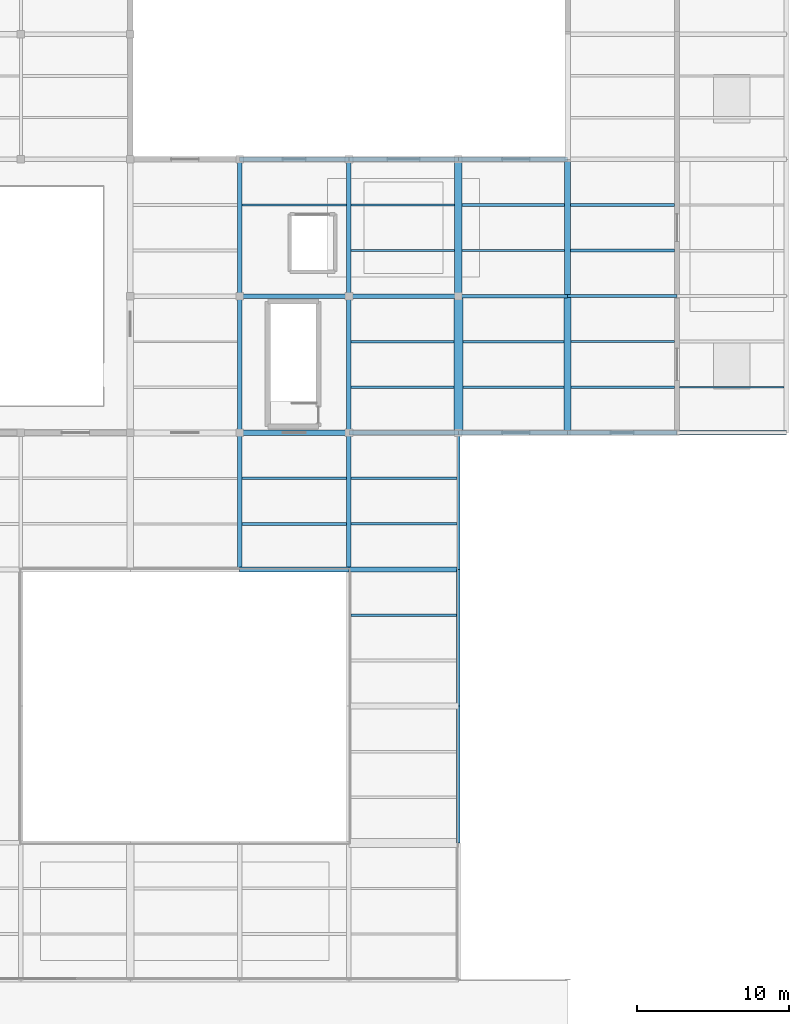
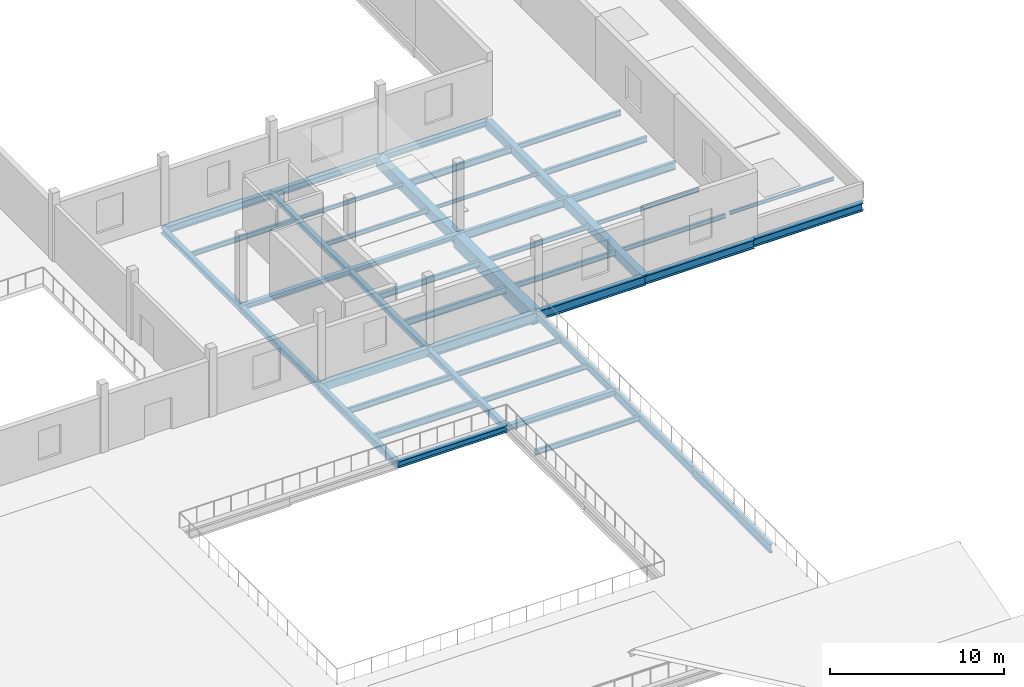
# One storey, part 19 of 54: 46 beams.
"""IFC4 building model written with IfcOpenShell, lengths in metres."""

from ifc_helpers import new_model, si_unit, direction, frame, origin, origin_2d, place, context, subcontext, project, spatial, rectangle, i_section, extrude, material, material_profile, profile_set, type_object, element, save


model = new_model("IFC4")

# Units and contexts
model_context = context("Model", 3, precision=1e-05, world=origin(), true_north=direction((0.0, 1.0)))
body_context = subcontext(model_context, "Body", "Model", "MODEL_VIEW")
ifc_project = project(units=[si_unit("LENGTHUNIT", "METRE"), si_unit("AREAUNIT", "SQUARE_METRE"), si_unit("VOLUMEUNIT", "CUBIC_METRE"), si_unit("PLANEANGLEUNIT", "RADIAN"), si_unit("MASSUNIT", "GRAM", prefix="KILO")], contexts=[model_context])

# Site, building, storey
site_placement = place(None, origin())
site = spatial("IfcSite", under=ifc_project, at=site_placement, CompositionType="ELEMENT")
building_placement = place(site_placement, origin())
building = spatial("IfcBuilding", under=site, at=building_placement, Name="Sundgate Opera House", CompositionType="ELEMENT")
storey_placement = place(building_placement, frame((0.0, 0.0, 16.800048828125)))
storey = spatial("IfcBuildingStorey", under=building, at=storey_placement, Name="L03", CompositionType="ELEMENT", Elevation=16.800048828125)

# Beams
ifc_material_1 = material(Name="Steel S355J2", Category="steel")
ifc_material_profile_1 = material_profile(ifc_material_1, i_section(OverallWidth=0.300048828125, OverallDepth=0.330078125, WebThickness=0.009521484375, FlangeThickness=0.0166015625, at=origin_2d()), Name="HEA 340")
ifc_profile_set_1 = profile_set([ifc_material_profile_1], Name="Steel S355J2")
beam_type_1 = type_object("IfcBeamType", Name="BM-GR-HEA340", PredefinedType="BEAM", material=ifc_profile_set_1)
beam_1_placement = place(storey_placement, frame((138.60009765625, 78.0, -0.445068359375), z_axis=(1.0, 0.0, 0.0), x_axis=(0.0, 1.0, 0.0)))
element("IfcBeam", 1, at=beam_1_placement, inside=storey, type_object=beam_type_1, Name="L03 Primary E-W Girder B2644", PredefinedType="BEAM", context=body_context, shape_type="SweptSolid", body=[
    extrude(i_section(OverallWidth=0.300048828125, OverallDepth=0.330078125, WebThickness=0.009521484375, FlangeThickness=0.0166015625, at=origin_2d()), origin(), (0.0, 0.0, 1.0), 7.199951171875),
])
ifc_material_2 = material(Name="Steel S355J2", Category="steel")
ifc_material_profile_2 = material_profile(ifc_material_2, i_section(OverallWidth=0.300048828125, OverallDepth=0.35009765625, WebThickness=0.010009765625, FlangeThickness=0.017578125, at=origin_2d()), Name="HEA 360")
ifc_profile_set_2 = profile_set([ifc_material_profile_2], Name="Steel S355J2")
beam_type_2 = type_object("IfcBeamType", Name="BM-GR-HEA360", PredefinedType="BEAM", material=ifc_profile_set_2)
beam_2_placement = place(storey_placement, frame((138.60009765625, 78.0, -0.455078125), z_axis=(0.0, 1.0, 0.0), x_axis=(-1.0, 0.0, 0.0)))
element("IfcBeam", 2, at=beam_2_placement, inside=storey, type_object=beam_type_2, Name="L03 Primary N-S Girder B2555", PredefinedType="BEAM", context=body_context, shape_type="SweptSolid", body=[
    extrude(i_section(OverallWidth=0.300048828125, OverallDepth=0.35009765625, WebThickness=0.010009765625, FlangeThickness=0.017578125, at=origin_2d()), origin(), (0.0, 0.0, 1.0), 9.0),
])
beam_3_placement = place(storey_placement, frame((131.39990234375, 78.0, -0.455078125), z_axis=(1.0, 0.0, 0.0), x_axis=(0.0, 1.0, 0.0)))
element("IfcBeam", 3, at=beam_3_placement, inside=storey, type_object=beam_type_2, Name="L03 Primary E-W Girder B2643", PredefinedType="BEAM", context=body_context, shape_type="SweptSolid", body=[
    extrude(i_section(OverallWidth=0.300048828125, OverallDepth=0.35009765625, WebThickness=0.010009765625, FlangeThickness=0.017578125, at=origin_2d()), origin(), (0.0, 0.0, 1.0), 7.2001953125),
])
ifc_material_3 = material(Name="Steel S355J2", Category="steel")
ifc_material_profile_3 = material_profile(ifc_material_3, i_section(OverallWidth=0.300048828125, OverallDepth=0.389892578125, WebThickness=0.010986328125, FlangeThickness=0.01904296875, at=origin_2d()), Name="HEA 400")
ifc_profile_set_3 = profile_set([ifc_material_profile_3], Name="Steel S355J2")
beam_type_3 = type_object("IfcBeamType", Name="BM-GR-HEA400", PredefinedType="BEAM", material=ifc_profile_set_3)
beam_4_placement = place(storey_placement, frame((138.60009765625, 69.0, -0.47509765625), z_axis=(0.0, 1.0, 0.0), x_axis=(-1.0, 0.0, 0.0)))
element("IfcBeam", 4, at=beam_4_placement, inside=storey, type_object=beam_type_3, Name="L03 Primary N-S Girder B2554", PredefinedType="BEAM", context=body_context, shape_type="SweptSolid", body=[
    extrude(i_section(OverallWidth=0.300048828125, OverallDepth=0.389892578125, WebThickness=0.010986328125, FlangeThickness=0.01904296875, at=origin_2d()), origin(), (0.0, 0.0, 1.0), 9.0),
])
for number, where, z_axis, x_axis, name in (
    (5, (138.60009765625, 60.0, -0.505126953125), (1.0, 0.0, 0.0), (0.0, 1.0, 0.0), "L03 Primary E-W Girder B2620"),
    (6, (145.800048828125, 87.0, -0.47509765625), (1.0, 0.0, 0.0), (0.0, 1.0, 0.0), "L03 Primary E-W Girder B2664"),
):
    element("IfcBeam", number, at=place(storey_placement, frame(where, z_axis=z_axis, x_axis=x_axis)), inside=storey, type_object=beam_type_3, Name=name, PredefinedType="BEAM", context=body_context, shape_type="SweptSolid", body=[
        extrude(i_section(OverallWidth=0.300048828125, OverallDepth=0.389892578125, WebThickness=0.010986328125, FlangeThickness=0.01904296875, at=origin_2d()), origin(), (0.0, 0.0, 1.0), 7.199951171875),
    ])
ifc_material_4 = material(Name="Steel S355J2", Category="steel")
ifc_material_profile_4 = material_profile(ifc_material_4, i_section(OverallWidth=0.300048828125, OverallDepth=0.43994140625, WebThickness=0.011474609375, FlangeThickness=0.02099609375, at=origin_2d()), Name="HEA 450")
ifc_profile_set_4 = profile_set([ifc_material_profile_4], Name="Steel S355J2")
beam_type_4 = type_object("IfcBeamType", Name="BM-GR-HEA450", PredefinedType="BEAM", material=ifc_profile_set_4)
beam_5_placement = place(storey_placement, frame((138.60009765625, 60.0, -0.530029296875), z_axis=(0.0, 1.0, 0.0), x_axis=(-1.0, 0.0, 0.0)))
element("IfcBeam", 7, at=beam_5_placement, inside=storey, type_object=beam_type_4, Name="L03 Primary N-S Girder B2553", PredefinedType="BEAM", context=body_context, shape_type="SweptSolid", body=[
    extrude(i_section(OverallWidth=0.300048828125, OverallDepth=0.43994140625, WebThickness=0.011474609375, FlangeThickness=0.02099609375, at=origin_2d()), origin(), (0.0, 0.0, 1.0), 9.0),
])
beam_6_placement = place(storey_placement, frame((131.39990234375, 60.0, -0.530029296875), z_axis=(1.0, 0.0, 0.0), x_axis=(0.0, 1.0, 0.0)))
element("IfcBeam", 8, at=beam_6_placement, inside=storey, type_object=beam_type_4, Name="L03 Primary E-W Girder B2619", PredefinedType="BEAM", context=body_context, shape_type="SweptSolid", body=[
    extrude(i_section(OverallWidth=0.300048828125, OverallDepth=0.43994140625, WebThickness=0.011474609375, FlangeThickness=0.02099609375, at=origin_2d()), origin(), (0.0, 0.0, 1.0), 7.2001953125),
])
beam_7_placement = place(storey_placement, frame((138.60009765625, 87.0, -0.5), z_axis=(1.0, 0.0, 0.0), x_axis=(0.0, 1.0, 0.0)))
element("IfcBeam", 9, at=beam_7_placement, inside=storey, type_object=beam_type_4, Name="L03 Primary E-W Girder B2663", PredefinedType="BEAM", context=body_context, shape_type="SweptSolid", body=[
    extrude(i_section(OverallWidth=0.300048828125, OverallDepth=0.43994140625, WebThickness=0.011474609375, FlangeThickness=0.02099609375, at=origin_2d()), origin(), (0.0, 0.0, 1.0), 7.199951171875),
])
ifc_material_5 = material(Name="Steel S355J2", Category="steel")
ifc_material_profile_5 = material_profile(ifc_material_5, i_section(OverallWidth=0.300048828125, OverallDepth=0.489990234375, WebThickness=0.011962890625, FlangeThickness=0.02294921875, at=origin_2d()), Name="HEA 500")
ifc_profile_set_5 = profile_set([ifc_material_profile_5], Name="Steel S355J2")
beam_type_5 = type_object("IfcBeamType", Name="BM-GR-HEA500", PredefinedType="BEAM", material=ifc_profile_set_5)
beam_8_placement = place(storey_placement, frame((131.39990234375, 87.0, -0.525146484375), z_axis=(1.0, 0.0, 0.0), x_axis=(0.0, 1.0, 0.0)))
element("IfcBeam", 10, at=beam_8_placement, inside=storey, type_object=beam_type_5, Name="L03 Primary E-W Girder B2662", PredefinedType="BEAM", context=body_context, shape_type="SweptSolid", body=[
    extrude(i_section(OverallWidth=0.300048828125, OverallDepth=0.489990234375, WebThickness=0.011962890625, FlangeThickness=0.02294921875, at=origin_2d()), origin(), (0.0, 0.0, 1.0), 7.2001953125),
])
ifc_material_6 = material(Name="Steel S355J2", Category="steel")
ifc_material_profile_6 = material_profile(ifc_material_6, i_section(OverallWidth=0.300048828125, OverallDepth=0.39990234375, WebThickness=0.013427734375, FlangeThickness=0.02392578125, at=origin_2d()), Name="HEB 400")
ifc_profile_set_6 = profile_set([ifc_material_profile_6], Name="Steel S355J2")
beam_type_6 = type_object("IfcBeamType", Name="BM-GR-HEB400", PredefinedType="BEAM", material=ifc_profile_set_6)
beam_9_placement = place(storey_placement, frame((131.39990234375, 78.0, -0.47998046875), z_axis=(0.0, 1.0, 0.0), x_axis=(-1.0, 0.0, 0.0)))
element("IfcBeam", 11, at=beam_9_placement, inside=storey, type_object=beam_type_6, Name="L03 Primary N-S Girder B2549", PredefinedType="BEAM", context=body_context, shape_type="SweptSolid", body=[
    extrude(i_section(OverallWidth=0.300048828125, OverallDepth=0.39990234375, WebThickness=0.013427734375, FlangeThickness=0.02392578125, at=origin_2d()), origin(), (0.0, 0.0, 1.0), 9.0),
])
ifc_material_7 = material(Name="Steel S355J2", Category="steel")
ifc_material_profile_7 = material_profile(ifc_material_7, i_section(OverallWidth=0.300048828125, OverallDepth=0.449951171875, WebThickness=0.013916015625, FlangeThickness=0.02587890625, at=origin_2d()), Name="HEB 450")
ifc_profile_set_7 = profile_set([ifc_material_profile_7], Name="Steel S355J2")
beam_type_7 = type_object("IfcBeamType", Name="BM-GR-HEB450", PredefinedType="BEAM", material=ifc_profile_set_7)
beam_10_placement = place(storey_placement, frame((131.39990234375, 69.0, -0.505126953125), z_axis=(0.0, 1.0, 0.0), x_axis=(-1.0, 0.0, 0.0)))
element("IfcBeam", 12, at=beam_10_placement, inside=storey, type_object=beam_type_7, Name="L03 Primary N-S Girder B2548", PredefinedType="BEAM", context=body_context, shape_type="SweptSolid", body=[
    extrude(i_section(OverallWidth=0.300048828125, OverallDepth=0.449951171875, WebThickness=0.013916015625, FlangeThickness=0.02587890625, at=origin_2d()), origin(), (0.0, 0.0, 1.0), 9.0),
])
ifc_material_8 = material(Name="Steel S355J2", Category="steel")
ifc_material_profile_8 = material_profile(ifc_material_8, i_section(OverallWidth=0.300048828125, OverallDepth=0.5, WebThickness=0.014404296875, FlangeThickness=0.028076171875, at=origin_2d()), Name="HEB 500")
ifc_profile_set_8 = profile_set([ifc_material_profile_8], Name="Steel S355J2")
beam_type_8 = type_object("IfcBeamType", Name="BM-GR-HEB500", PredefinedType="BEAM", material=ifc_profile_set_8)
beam_11_placement = place(storey_placement, frame((131.39990234375, 60.0, -0.56005859375), z_axis=(0.0, 1.0, 0.0), x_axis=(-1.0, 0.0, 0.0)))
element("IfcBeam", 13, at=beam_11_placement, inside=storey, type_object=beam_type_8, Name="L03 Primary N-S Girder B2547", PredefinedType="BEAM", context=body_context, shape_type="SweptSolid", body=[
    extrude(i_section(OverallWidth=0.300048828125, OverallDepth=0.5, WebThickness=0.014404296875, FlangeThickness=0.028076171875, at=origin_2d()), origin(), (0.0, 0.0, 1.0), 9.0),
])
ifc_material_9 = material(Name="Steel S355J2", Category="steel")
ifc_material_profile_9 = material_profile(ifc_material_9, i_section(OverallWidth=0.300048828125, OverallDepth=0.550048828125, WebThickness=0.014892578125, FlangeThickness=0.029052734375, at=origin_2d()), Name="HEB 550")
ifc_profile_set_9 = profile_set([ifc_material_profile_9], Name="Steel S355J2")
beam_type_9 = type_object("IfcBeamType", Name="BM-GR-HEB550", PredefinedType="BEAM", material=ifc_profile_set_9)
beam_12_placement = place(storey_placement, frame((160.199951171875, 69.0, -0.505126953125), z_axis=(1.0, 0.0, 0.0), x_axis=(0.0, 1.0, 0.0)))
element("IfcBeam", 14, at=beam_12_placement, inside=storey, type_object=beam_type_9, Name="L03 Primary E-W Girder B2634", PredefinedType="BEAM", context=body_context, shape_type="SweptSolid", body=[
    extrude(i_section(OverallWidth=0.300048828125, OverallDepth=0.550048828125, WebThickness=0.014892578125, FlangeThickness=0.029052734375, at=origin_2d()), origin(), (0.0, 0.0, 1.0), 7.199951171875),
])
ifc_material_10 = material(Name="Steel S355J2", Category="steel")
ifc_material_profile_10 = material_profile(ifc_material_10, i_section(OverallWidth=0.300048828125, OverallDepth=0.60009765625, WebThickness=0.015380859375, FlangeThickness=0.030029296875, at=origin_2d()), Name="HEB 600")
ifc_profile_set_10 = profile_set([ifc_material_profile_10], Name="Steel S355J2")
beam_type_10 = type_object("IfcBeamType", Name="BM-GR-HEB600", PredefinedType="BEAM", material=ifc_profile_set_10)
beam_13_placement = place(storey_placement, frame((153.0, 69.0, -0.580078125), z_axis=(1.0, 0.0, 0.0), x_axis=(0.0, 1.0, 0.0)))
element("IfcBeam", 15, at=beam_13_placement, inside=storey, type_object=beam_type_10, Name="L03 Primary E-W Girder B2633", PredefinedType="BEAM", context=body_context, shape_type="SweptSolid", body=[
    extrude(i_section(OverallWidth=0.300048828125, OverallDepth=0.60009765625, WebThickness=0.015380859375, FlangeThickness=0.030029296875, at=origin_2d()), origin(), (0.0, 0.0, 1.0), 7.199951171875),
])
ifc_material_11 = material(Name="Steel S355J2", Category="steel")
ifc_material_profile_11 = material_profile(ifc_material_11, i_section(OverallWidth=0.300048828125, OverallDepth=0.64990234375, WebThickness=0.01611328125, FlangeThickness=0.031005859375, at=origin_2d()), Name="HEB 650")
ifc_profile_set_11 = profile_set([ifc_material_profile_11], Name="Steel S355J2")
beam_type_11 = type_object("IfcBeamType", Name="BM-GR-HEB650", PredefinedType="BEAM", material=ifc_profile_set_11)
beam_14_placement = place(storey_placement, frame((145.800048828125, 69.0, -0.60498046875), z_axis=(1.0, 0.0, 0.0), x_axis=(0.0, 1.0, 0.0)))
element("IfcBeam", 16, at=beam_14_placement, inside=storey, type_object=beam_type_11, Name="L03 Primary E-W Girder B2632", PredefinedType="BEAM", context=body_context, shape_type="SweptSolid", body=[
    extrude(i_section(OverallWidth=0.300048828125, OverallDepth=0.64990234375, WebThickness=0.01611328125, FlangeThickness=0.031005859375, at=origin_2d()), origin(), (0.0, 0.0, 1.0), 7.199951171875),
])
ifc_material_12 = material(Name="Steel S355J2", Category="steel")
ifc_material_profile_12 = material_profile(ifc_material_12, i_section(OverallWidth=0.300048828125, OverallDepth=0.699951171875, WebThickness=0.01708984375, FlangeThickness=0.031982421875, at=origin_2d()), Name="HEB 700")
ifc_profile_set_12 = profile_set([ifc_material_profile_12], Name="Steel S355J2")
beam_type_12 = type_object("IfcBeamType", Name="BM-GR-HEB700", PredefinedType="BEAM", material=ifc_profile_set_12)
beam_15_placement = place(storey_placement, frame((138.60009765625, 69.0, -0.66015625), z_axis=(1.0, 0.0, 0.0), x_axis=(0.0, 1.0, 0.0)))
element("IfcBeam", 17, at=beam_15_placement, inside=storey, type_object=beam_type_12, Name="L03 Primary E-W Girder B2631", PredefinedType="BEAM", context=body_context, shape_type="SweptSolid", body=[
    extrude(i_section(OverallWidth=0.300048828125, OverallDepth=0.699951171875, WebThickness=0.01708984375, FlangeThickness=0.031982421875, at=origin_2d()), origin(), (0.0, 0.0, 1.0), 7.199951171875),
])
ifc_material_13 = material(Name="Steel S355J2", Category="steel")
ifc_material_profile_13 = material_profile(ifc_material_13, i_section(OverallWidth=0.199951171875, OverallDepth=0.5, WebThickness=0.01025390625, FlangeThickness=0.01611328125, at=origin_2d()), Name="IPE 500")
ifc_profile_set_13 = profile_set([ifc_material_profile_13], Name="Steel S355J2")
beam_type_13 = type_object("IfcBeamType", Name="BM-GR-IPE500", PredefinedType="BEAM", material=ifc_profile_set_13)
beam_16_placement = place(storey_placement, frame((145.800048828125, 60.0, -0.56005859375), z_axis=(0.0, 1.0, 0.0), x_axis=(-1.0, 0.0, 0.0)))
element("IfcBeam", 18, at=beam_16_placement, inside=storey, type_object=beam_type_13, Name="L03 Primary N-S Girder B2559", PredefinedType="BEAM", context=body_context, shape_type="SweptSolid", body=[
    extrude(i_section(OverallWidth=0.199951171875, OverallDepth=0.5, WebThickness=0.01025390625, FlangeThickness=0.01611328125, at=origin_2d()), origin(), (0.0, 0.0, 1.0), 9.0),
])
ifc_material_14 = material(Name="Steel S355J2", Category="steel")
ifc_material_profile_14 = material_profile(ifc_material_14, i_section(OverallWidth=0.2099609375, OverallDepth=0.550048828125, WebThickness=0.010986328125, FlangeThickness=0.01708984375, at=origin_2d()), Name="IPE 550")
ifc_profile_set_14 = profile_set([ifc_material_profile_14], Name="Steel S355J2")
beam_type_14 = type_object("IfcBeamType", Name="BM-GR-IPE550", PredefinedType="BEAM", material=ifc_profile_set_14)
beam_17_placement = place(storey_placement, frame((145.800048828125, 51.0, -0.5849609375), z_axis=(0.0, 1.0, 0.0), x_axis=(-1.0, 0.0, 0.0)))
element("IfcBeam", 19, at=beam_17_placement, inside=storey, type_object=beam_type_14, Name="L03 Primary N-S Girder B2558", PredefinedType="BEAM", context=body_context, shape_type="SweptSolid", body=[
    extrude(i_section(OverallWidth=0.2099609375, OverallDepth=0.550048828125, WebThickness=0.010986328125, FlangeThickness=0.01708984375, at=origin_2d()), origin(), (0.0, 0.0, 1.0), 9.0),
])
beam_18_placement = place(storey_placement, frame((153.0, 78.0, -0.554931640625), z_axis=(1.0, 0.0, 0.0), x_axis=(0.0, 1.0, 0.0)))
element("IfcBeam", 20, at=beam_18_placement, inside=storey, type_object=beam_type_14, Name="L03 Primary E-W Girder B2646", PredefinedType="BEAM", context=body_context, shape_type="SweptSolid", body=[
    extrude(i_section(OverallWidth=0.2099609375, OverallDepth=0.550048828125, WebThickness=0.010986328125, FlangeThickness=0.01708984375, at=origin_2d()), origin(), (0.0, 0.0, 1.0), 7.199951171875),
])
ifc_material_15 = material(Name="Steel S355J2", Category="steel")
ifc_material_profile_15 = material_profile(ifc_material_15, i_section(OverallWidth=0.219970703125, OverallDepth=0.60009765625, WebThickness=0.011962890625, FlangeThickness=0.01904296875, at=origin_2d()), Name="IPE 600")
ifc_profile_set_15 = profile_set([ifc_material_profile_15], Name="Steel S355J2")
beam_type_15 = type_object("IfcBeamType", Name="BM-GR-IPE600", PredefinedType="BEAM", material=ifc_profile_set_15)
beam_19_placement = place(storey_placement, frame((145.800048828125, 42.0, -0.610107421875), z_axis=(0.0, 1.0, 0.0), x_axis=(-1.0, 0.0, 0.0)))
element("IfcBeam", 21, at=beam_19_placement, inside=storey, type_object=beam_type_15, Name="L03 Primary N-S Girder B2557", PredefinedType="BEAM", context=body_context, shape_type="SweptSolid", body=[
    extrude(i_section(OverallWidth=0.219970703125, OverallDepth=0.60009765625, WebThickness=0.011962890625, FlangeThickness=0.01904296875, at=origin_2d()), origin(), (0.0, 0.0, 1.0), 9.0),
])
beam_20_placement = place(storey_placement, frame((145.800048828125, 78.0, -0.580078125), z_axis=(1.0, 0.0, 0.0), x_axis=(0.0, 1.0, 0.0)))
element("IfcBeam", 22, at=beam_20_placement, inside=storey, type_object=beam_type_15, Name="L03 Primary E-W Girder B2645", PredefinedType="BEAM", context=body_context, shape_type="SweptSolid", body=[
    extrude(i_section(OverallWidth=0.219970703125, OverallDepth=0.60009765625, WebThickness=0.011962890625, FlangeThickness=0.01904296875, at=origin_2d()), origin(), (0.0, 0.0, 1.0), 7.199951171875),
])
ifc_material_16 = material(Name="Steel S355J2", Category="steel")
ifc_material_profile_16 = material_profile(ifc_material_16, i_section(OverallWidth=0.1201171875, OverallDepth=0.239990234375, WebThickness=0.006103515625, FlangeThickness=0.009765625, at=origin_2d()), Name="IPE 240")
ifc_profile_set_16 = profile_set([ifc_material_profile_16], Name="Steel S355J2")
beam_type_16 = type_object("IfcBeamType", Name="BM-JS-IPE240", PredefinedType="JOIST", material=ifc_profile_set_16)
beam_21_placement = place(storey_placement, frame((160.35009765625, 72.0, -0.35009765625), z_axis=(1.0, 0.0, 0.0), x_axis=(0.0, 1.0, 0.0)))
element("IfcBeam", 23, at=beam_21_placement, inside=storey, type_object=beam_type_16, Name="L03 Secondary Floor Joist B2782", PredefinedType="JOIST", context=body_context, shape_type="SweptSolid", body=[
    extrude(i_section(OverallWidth=0.1201171875, OverallDepth=0.239990234375, WebThickness=0.006103515625, FlangeThickness=0.009765625, at=origin_2d()), origin(), (0.0, 0.0, 1.0), 6.89990234375),
])
beam_22_placement = place(storey_placement, frame((146.050048828125, 81.0, -0.400146484375), z_axis=(1.0, 0.0, 0.0), x_axis=(0.0, 1.0, 0.0)))
element("IfcBeam", 24, at=beam_22_placement, inside=storey, type_object=beam_type_16, Name="L03 Secondary Floor Joist B2803", PredefinedType="JOIST", context=body_context, shape_type="SweptSolid", body=[
    extrude(i_section(OverallWidth=0.1201171875, OverallDepth=0.239990234375, WebThickness=0.006103515625, FlangeThickness=0.009765625, at=origin_2d()), origin(), (0.0, 0.0, 1.0), 6.75),
])
ifc_material_17 = material(Name="Steel S355J2", Category="steel")
ifc_material_profile_17 = material_profile(ifc_material_17, i_section(OverallWidth=0.135009765625, OverallDepth=0.27001953125, WebThickness=0.006591796875, FlangeThickness=0.01025390625, at=origin_2d()), Name="IPE 270")
ifc_profile_set_17 = profile_set([ifc_material_profile_17], Name="Steel S355J2")
beam_type_17 = type_object("IfcBeamType", Name="BM-JS-IPE270", PredefinedType="JOIST", material=ifc_profile_set_17)
beam_23_placement = place(storey_placement, frame((153.22509765625, 75.0, -0.4150390625), z_axis=(1.0, 0.0, 0.0), x_axis=(0.0, 1.0, 0.0)))
element("IfcBeam", 25, at=beam_23_placement, inside=storey, type_object=beam_type_17, Name="L03 Secondary Floor Joist B2781", PredefinedType="JOIST", context=body_context, shape_type="SweptSolid", body=[
    extrude(i_section(OverallWidth=0.135009765625, OverallDepth=0.27001953125, WebThickness=0.006591796875, FlangeThickness=0.01025390625, at=origin_2d()), origin(), (0.0, 0.0, 1.0), 6.824951171875),
])
beam_24_placement = place(storey_placement, frame((138.75, 84.0, -0.4150390625), z_axis=(1.0, 0.0, 0.0), x_axis=(0.0, 1.0, 0.0)))
element("IfcBeam", 26, at=beam_24_placement, inside=storey, type_object=beam_type_17, Name="L03 Secondary Floor Joist B2802", PredefinedType="JOIST", context=body_context, shape_type="SweptSolid", body=[
    extrude(i_section(OverallWidth=0.135009765625, OverallDepth=0.27001953125, WebThickness=0.006591796875, FlangeThickness=0.01025390625, at=origin_2d()), origin(), (0.0, 0.0, 1.0), 6.800048828125),
])
ifc_material_18 = material(Name="Steel S355J2", Category="steel")
ifc_material_profile_18 = material_profile(ifc_material_18, i_section(OverallWidth=0.14990234375, OverallDepth=0.300048828125, WebThickness=0.007080078125, FlangeThickness=0.0107421875, at=origin_2d()), Name="IPE 300")
ifc_profile_set_18 = profile_set([ifc_material_profile_18], Name="Steel S355J2")
beam_type_18 = type_object("IfcBeamType", Name="BM-JS-IPE300", PredefinedType="JOIST", material=ifc_profile_set_18)
beam_25_placement = place(storey_placement, frame((153.22509765625, 72.0, -0.429931640625), z_axis=(1.0, 0.0, 0.0), x_axis=(0.0, 1.0, 0.0)))
element("IfcBeam", 27, at=beam_25_placement, inside=storey, type_object=beam_type_18, Name="L03 Secondary Floor Joist B2780", PredefinedType="JOIST", context=body_context, shape_type="SweptSolid", body=[
    extrude(i_section(OverallWidth=0.14990234375, OverallDepth=0.300048828125, WebThickness=0.007080078125, FlangeThickness=0.0107421875, at=origin_2d()), origin(), (0.0, 0.0, 1.0), 6.824951171875),
])
beam_26_placement = place(storey_placement, frame((138.75, 81.0, -0.429931640625), z_axis=(1.0, 0.0, 0.0), x_axis=(0.0, 1.0, 0.0)))
element("IfcBeam", 28, at=beam_26_placement, inside=storey, type_object=beam_type_18, Name="L03 Secondary Floor Joist B2801", PredefinedType="JOIST", context=body_context, shape_type="SweptSolid", body=[
    extrude(i_section(OverallWidth=0.14990234375, OverallDepth=0.300048828125, WebThickness=0.007080078125, FlangeThickness=0.0107421875, at=origin_2d()), origin(), (0.0, 0.0, 1.0), 6.800048828125),
])
ifc_material_19 = material(Name="Steel S355J2", Category="steel")
ifc_material_profile_19 = material_profile(ifc_material_19, i_section(OverallWidth=0.159912109375, OverallDepth=0.330078125, WebThickness=0.007568359375, FlangeThickness=0.011474609375, at=origin_2d()), Name="IPE 330")
ifc_profile_set_19 = profile_set([ifc_material_profile_19], Name="Steel S355J2")
beam_type_19 = type_object("IfcBeamType", Name="BM-JS-IPE330", PredefinedType="JOIST", material=ifc_profile_set_19)
beam_27_placement = place(storey_placement, frame((138.75, 66.0, -0.47509765625), z_axis=(1.0, 0.0, 0.0), x_axis=(0.0, 1.0, 0.0)))
element("IfcBeam", 29, at=beam_27_placement, inside=storey, type_object=beam_type_19, Name="L03 Secondary Floor Joist B2765", PredefinedType="JOIST", context=body_context, shape_type="SweptSolid", body=[
    extrude(i_section(OverallWidth=0.159912109375, OverallDepth=0.330078125, WebThickness=0.007568359375, FlangeThickness=0.011474609375, at=origin_2d()), origin(), (0.0, 0.0, 1.0), 6.949951171875),
])
beam_28_placement = place(storey_placement, frame((146.10009765625, 75.0, -0.445068359375), z_axis=(1.0, 0.0, 0.0), x_axis=(0.0, 1.0, 0.0)))
element("IfcBeam", 30, at=beam_28_placement, inside=storey, type_object=beam_type_19, Name="L03 Secondary Floor Joist B2779", PredefinedType="JOIST", context=body_context, shape_type="SweptSolid", body=[
    extrude(i_section(OverallWidth=0.159912109375, OverallDepth=0.330078125, WebThickness=0.007568359375, FlangeThickness=0.011474609375, at=origin_2d()), origin(), (0.0, 0.0, 1.0), 6.6748046875),
])
beam_29_placement = place(storey_placement, frame((131.550048828125, 84.0, -0.445068359375), z_axis=(1.0, 0.0, 0.0), x_axis=(0.0, 1.0, 0.0)))
element("IfcBeam", 31, at=beam_29_placement, inside=storey, type_object=beam_type_19, Name="L03 Secondary Floor Joist B2800", PredefinedType="JOIST", context=body_context, shape_type="SweptSolid", body=[
    extrude(i_section(OverallWidth=0.159912109375, OverallDepth=0.330078125, WebThickness=0.007568359375, FlangeThickness=0.011474609375, at=origin_2d()), origin(), (0.0, 0.0, 1.0), 6.89990234375),
])
ifc_material_20 = material(Name="Steel S355J2", Category="steel")
ifc_material_profile_20 = material_profile(ifc_material_20, i_section(OverallWidth=0.169921875, OverallDepth=0.360107421875, WebThickness=0.008056640625, FlangeThickness=0.0126953125, at=origin_2d()), Name="IPE 360")
ifc_profile_set_20 = profile_set([ifc_material_profile_20], Name="Steel S355J2")
beam_type_20 = type_object("IfcBeamType", Name="BM-JS-IPE360", PredefinedType="JOIST", material=ifc_profile_set_20)
beam_30_placement = place(storey_placement, frame((138.75, 57.0, -0.489990234375), z_axis=(1.0, 0.0, 0.0), x_axis=(0.0, 1.0, 0.0)))
element("IfcBeam", 32, at=beam_30_placement, inside=storey, type_object=beam_type_20, Name="L03 Secondary Floor Joist B2743", PredefinedType="JOIST", context=body_context, shape_type="SweptSolid", body=[
    extrude(i_section(OverallWidth=0.169921875, OverallDepth=0.360107421875, WebThickness=0.008056640625, FlangeThickness=0.0126953125, at=origin_2d()), origin(), (0.0, 0.0, 1.0), 6.945068359375),
])
beam_31_placement = place(storey_placement, frame((138.75, 63.0, -0.489990234375), z_axis=(1.0, 0.0, 0.0), x_axis=(0.0, 1.0, 0.0)))
element("IfcBeam", 33, at=beam_31_placement, inside=storey, type_object=beam_type_20, Name="L03 Secondary Floor Joist B2764", PredefinedType="JOIST", context=body_context, shape_type="SweptSolid", body=[
    extrude(i_section(OverallWidth=0.169921875, OverallDepth=0.360107421875, WebThickness=0.008056640625, FlangeThickness=0.0126953125, at=origin_2d()), origin(), (0.0, 0.0, 1.0), 6.949951171875),
])
beam_32_placement = place(storey_placement, frame((146.10009765625, 72.0, -0.4599609375), z_axis=(1.0, 0.0, 0.0), x_axis=(0.0, 1.0, 0.0)))
element("IfcBeam", 34, at=beam_32_placement, inside=storey, type_object=beam_type_20, Name="L03 Secondary Floor Joist B2778", PredefinedType="JOIST", context=body_context, shape_type="SweptSolid", body=[
    extrude(i_section(OverallWidth=0.169921875, OverallDepth=0.360107421875, WebThickness=0.008056640625, FlangeThickness=0.0126953125, at=origin_2d()), origin(), (0.0, 0.0, 1.0), 6.6748046875),
])
beam_33_placement = place(storey_placement, frame((153.199951171875, 84.0, -0.4599609375), z_axis=(1.0, 0.0, 0.0), x_axis=(0.0, 1.0, 0.0)))
element("IfcBeam", 35, at=beam_33_placement, inside=storey, type_object=beam_type_20, Name="L03 Secondary Floor Joist B2806", PredefinedType="JOIST", context=body_context, shape_type="SweptSolid", body=[
    extrude(i_section(OverallWidth=0.169921875, OverallDepth=0.360107421875, WebThickness=0.008056640625, FlangeThickness=0.0126953125, at=origin_2d()), origin(), (0.0, 0.0, 1.0), 6.85009765625),
])
ifc_material_21 = material(Name="Steel S355J2", Category="steel")
ifc_material_profile_21 = material_profile(ifc_material_21, i_section(OverallWidth=0.179931640625, OverallDepth=0.39990234375, WebThickness=0.008544921875, FlangeThickness=0.013427734375, at=origin_2d()), Name="IPE 400")
ifc_profile_set_21 = profile_set([ifc_material_profile_21], Name="Steel S355J2")
beam_type_21 = type_object("IfcBeamType", Name="BM-JS-IPE400", PredefinedType="JOIST", material=ifc_profile_set_21)
beam_34_placement = place(storey_placement, frame((131.550048828125, 66.0, -0.510009765625), z_axis=(1.0, 0.0, 0.0), x_axis=(0.0, 1.0, 0.0)))
element("IfcBeam", 36, at=beam_34_placement, inside=storey, type_object=beam_type_21, Name="L03 Secondary Floor Joist B2763", PredefinedType="JOIST", context=body_context, shape_type="SweptSolid", body=[
    extrude(i_section(OverallWidth=0.179931640625, OverallDepth=0.39990234375, WebThickness=0.008544921875, FlangeThickness=0.013427734375, at=origin_2d()), origin(), (0.0, 0.0, 1.0), 6.89990234375),
])
beam_35_placement = place(storey_placement, frame((138.75, 75.0, -0.47998046875), z_axis=(1.0, 0.0, 0.0), x_axis=(0.0, 1.0, 0.0)))
element("IfcBeam", 37, at=beam_35_placement, inside=storey, type_object=beam_type_21, Name="L03 Secondary Floor Joist B2777", PredefinedType="JOIST", context=body_context, shape_type="SweptSolid", body=[
    extrude(i_section(OverallWidth=0.179931640625, OverallDepth=0.39990234375, WebThickness=0.008544921875, FlangeThickness=0.013427734375, at=origin_2d()), origin(), (0.0, 0.0, 1.0), 6.75),
])
beam_36_placement = place(storey_placement, frame((153.199951171875, 81.0, -0.47998046875), z_axis=(1.0, 0.0, 0.0), x_axis=(0.0, 1.0, 0.0)))
element("IfcBeam", 38, at=beam_36_placement, inside=storey, type_object=beam_type_21, Name="L03 Secondary Floor Joist B2805", PredefinedType="JOIST", context=body_context, shape_type="SweptSolid", body=[
    extrude(i_section(OverallWidth=0.179931640625, OverallDepth=0.39990234375, WebThickness=0.008544921875, FlangeThickness=0.013427734375, at=origin_2d()), origin(), (0.0, 0.0, 1.0), 6.85009765625),
])
ifc_material_22 = material(Name="Steel S355J2", Category="steel")
ifc_material_profile_22 = material_profile(ifc_material_22, i_section(OverallWidth=0.18994140625, OverallDepth=0.449951171875, WebThickness=0.009521484375, FlangeThickness=0.0146484375, at=origin_2d()), Name="IPE 450")
ifc_profile_set_22 = profile_set([ifc_material_profile_22], Name="Steel S355J2")
beam_type_22 = type_object("IfcBeamType", Name="BM-JS-IPE450", PredefinedType="JOIST", material=ifc_profile_set_22)
beam_37_placement = place(storey_placement, frame((131.550048828125, 63.0, -0.53515625), z_axis=(1.0, 0.0, 0.0), x_axis=(0.0, 1.0, 0.0)))
element("IfcBeam", 39, at=beam_37_placement, inside=storey, type_object=beam_type_22, Name="L03 Secondary Floor Joist B2762", PredefinedType="JOIST", context=body_context, shape_type="SweptSolid", body=[
    extrude(i_section(OverallWidth=0.18994140625, OverallDepth=0.449951171875, WebThickness=0.009521484375, FlangeThickness=0.0146484375, at=origin_2d()), origin(), (0.0, 0.0, 1.0), 6.89990234375),
])
for number, where, z_axis, x_axis, name in (
    (40, (138.75, 72.0, -0.505126953125), (1.0, 0.0, 0.0), (0.0, 1.0, 0.0), "L03 Secondary Floor Joist B2776"),
    (41, (146.050048828125, 84.0, -0.505126953125), (1.0, 0.0, 0.0), (0.0, 1.0, 0.0), "L03 Secondary Floor Joist B2804"),
):
    element("IfcBeam", number, at=place(storey_placement, frame(where, z_axis=z_axis, x_axis=x_axis)), inside=storey, type_object=beam_type_22, Name=name, PredefinedType="JOIST", context=body_context, shape_type="SweptSolid", body=[
        extrude(i_section(OverallWidth=0.18994140625, OverallDepth=0.449951171875, WebThickness=0.009521484375, FlangeThickness=0.0146484375, at=origin_2d()), origin(), (0.0, 0.0, 1.0), 6.75),
    ])
ifc_material_23 = material(Name="Concrete C35/45", Category="concrete")
ifc_material_profile_23 = material_profile(ifc_material_23, rectangle(XDim=0.35009765625, YDim=0.550048828125, at=origin_2d()), Name="RC 350x550")
ifc_profile_set_23 = profile_set([ifc_material_profile_23], Name="Concrete C35/45")
beam_type_23 = type_object("IfcBeamType", Name="BM-RC-350x550", PredefinedType="BEAM", material=ifc_profile_set_23)
beam_38_placement = place(storey_placement, frame((131.39990234375, 69.0, -0.5849609375), z_axis=(1.0, 0.0, 0.0), x_axis=(0.0, 1.0, 0.0)))
element("IfcBeam", 42, at=beam_38_placement, inside=storey, type_object=beam_type_23, Name="L03 Primary E-W Girder B2630", PredefinedType="BEAM", context=body_context, shape_type="SweptSolid", body=[
    extrude(rectangle(XDim=0.35009765625, YDim=0.550048828125, at=origin_2d()), origin(), (0.0, 0.0, 1.0), 7.2001953125),
])
ifc_material_24 = material(Name="Concrete C35/45", Category="concrete")
ifc_material_profile_24 = material_profile(ifc_material_24, rectangle(XDim=0.39990234375, YDim=0.60009765625, at=origin_2d()), Name="RC 400x600")
ifc_profile_set_24 = profile_set([ifc_material_profile_24], Name="Concrete C35/45")
beam_type_24 = type_object("IfcBeamType", Name="BM-RC-400x600", PredefinedType="BEAM", material=ifc_profile_set_24)
beam_39_placement = place(storey_placement, frame((153.0, 78.0, -0.580078125), z_axis=(0.0, 1.0, 0.0), x_axis=(-1.0, 0.0, 0.0)))
element("IfcBeam", 43, at=beam_39_placement, inside=storey, type_object=beam_type_24, Name="L03 Primary N-S Girder B2563", PredefinedType="BEAM", context=body_context, shape_type="SweptSolid", body=[
    extrude(rectangle(XDim=0.39990234375, YDim=0.60009765625, at=origin_2d()), origin(), (0.0, 0.0, 1.0), 9.0),
])
ifc_material_25 = material(Name="Concrete C35/45", Category="concrete")
ifc_material_profile_25 = material_profile(ifc_material_25, rectangle(XDim=0.449951171875, YDim=0.64990234375, at=origin_2d()), Name="RC 450x650")
ifc_profile_set_25 = profile_set([ifc_material_profile_25], Name="Concrete C35/45")
beam_type_25 = type_object("IfcBeamType", Name="BM-RC-450x650", PredefinedType="BEAM", material=ifc_profile_set_25)
beam_40_placement = place(storey_placement, frame((153.0, 69.0, -0.60498046875), z_axis=(0.0, 1.0, 0.0), x_axis=(-1.0, 0.0, 0.0)))
element("IfcBeam", 44, at=beam_40_placement, inside=storey, type_object=beam_type_25, Name="L03 Primary N-S Girder B2562", PredefinedType="BEAM", context=body_context, shape_type="SweptSolid", body=[
    extrude(rectangle(XDim=0.449951171875, YDim=0.64990234375, at=origin_2d()), origin(), (0.0, 0.0, 1.0), 9.0),
])
ifc_material_26 = material(Name="Concrete C40/50", Category="concrete")
ifc_material_profile_26 = material_profile(ifc_material_26, rectangle(XDim=0.5, YDim=0.75, at=origin_2d()), Name="RC 500x750")
ifc_profile_set_26 = profile_set([ifc_material_profile_26], Name="Concrete C40/50")
beam_type_26 = type_object("IfcBeamType", Name="BM-RC-500x750", PredefinedType="BEAM", material=ifc_profile_set_26)
beam_41_placement = place(storey_placement, frame((145.800048828125, 78.0, -0.655029296875), z_axis=(0.0, 1.0, 0.0), x_axis=(-1.0, 0.0, 0.0)))
element("IfcBeam", 45, at=beam_41_placement, inside=storey, type_object=beam_type_26, Name="L03 Primary N-S Girder B2561", PredefinedType="BEAM", context=body_context, shape_type="SweptSolid", body=[
    extrude(rectangle(XDim=0.5, YDim=0.75, at=origin_2d()), origin(), (0.0, 0.0, 1.0), 9.0),
])
ifc_material_27 = material(Name="Concrete C40/50", Category="concrete")
ifc_material_profile_27 = material_profile(ifc_material_27, rectangle(XDim=0.60009765625, YDim=0.949951171875, at=origin_2d()), Name="RC 600x950")
ifc_profile_set_27 = profile_set([ifc_material_profile_27], Name="Concrete C40/50")
beam_type_27 = type_object("IfcBeamType", Name="BM-RC-600x950", PredefinedType="BEAM", material=ifc_profile_set_27)
beam_42_placement = place(storey_placement, frame((145.800048828125, 69.0, -0.755126953125), z_axis=(0.0, 1.0, 0.0), x_axis=(-1.0, 0.0, 0.0)))
element("IfcBeam", 46, at=beam_42_placement, inside=storey, type_object=beam_type_27, Name="L03 Primary N-S Girder B2560", PredefinedType="BEAM", context=body_context, shape_type="SweptSolid", body=[
    extrude(rectangle(XDim=0.60009765625, YDim=0.949951171875, at=origin_2d()), origin(), (0.0, 0.0, 1.0), 9.0),
])

save(model, "model.ifc")
